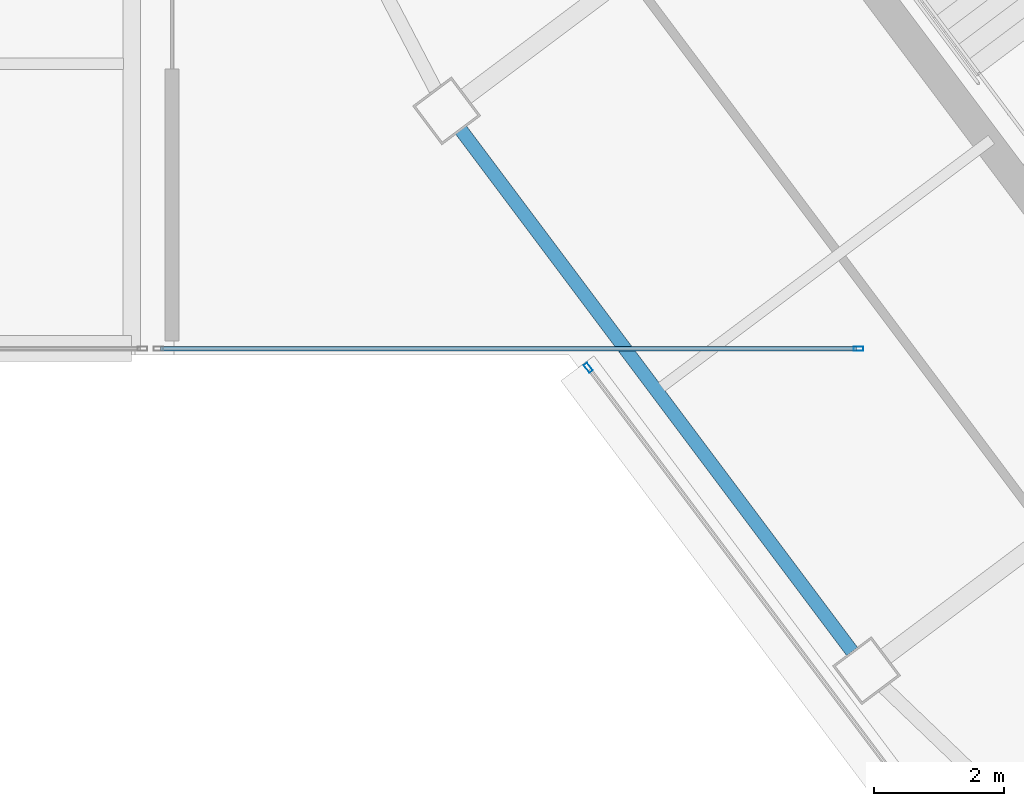
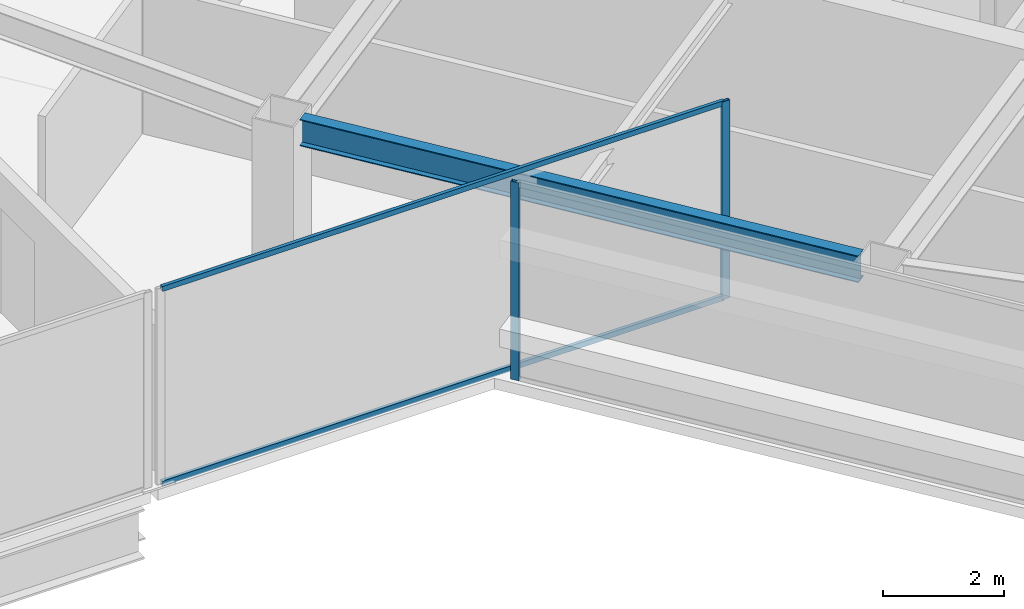
# One storey, part 28 of 51: 4 members, 1 beam, 2 elements without a shape of their own.
"""IFC4 building model written with IfcOpenShell, lengths in metres."""

from ifc_helpers import new_model, si_unit, direction, frame, origin, origin_2d, place, context, subcontext, project, spatial, hollow_rectangle, i_section, extrude, material, material_profile, profile_set, type_object, element, aggregate, save


model = new_model("IFC4")

# Units and contexts
model_context = context("Model", 3, precision=1e-05, world=origin(), true_north=direction((0.0, 1.0)))
body_context = subcontext(model_context, "Body", "Model", "MODEL_VIEW")
ifc_project = project(units=[si_unit("LENGTHUNIT", "METRE"), si_unit("AREAUNIT", "SQUARE_METRE"), si_unit("VOLUMEUNIT", "CUBIC_METRE"), si_unit("PLANEANGLEUNIT", "RADIAN"), si_unit("MASSUNIT", "GRAM", prefix="KILO")], contexts=[model_context])

# Site, building, storey
site_placement = place(None, origin())
site = spatial("IfcSite", under=ifc_project, at=site_placement, CompositionType="ELEMENT")
building_placement = place(site_placement, origin())
building = spatial("IfcBuilding", under=site, at=building_placement, Name="Tashvorn Skyway Center", CompositionType="ELEMENT")
storey_placement = place(building_placement, frame((0.0, 0.0, 251.39990234375)))
storey = spatial("IfcBuildingStorey", under=building, at=storey_placement, Name="L68", CompositionType="ELEMENT", Elevation=251.39990234375)

# Beam
ifc_material_1 = material(Name="Steel ASTM A992 Grade 50", Category="steel")
ifc_material_profile_1 = material_profile(ifc_material_1, i_section(OverallWidth=0.2109375, OverallDepth=0.5390625, WebThickness=0.01171875, FlangeThickness=0.018798828125, at=origin_2d()), Name="W21X73")
ifc_profile_set_1 = profile_set([ifc_material_profile_1], Name="Steel ASTM A992 Grade 50")
beam_type = type_object("IfcBeamType", Name="BM-SPANDREL-W21X73", PredefinedType="SPANDREL", material=ifc_profile_set_1)
beam_placement = place(storey_placement, frame((99.58203125, 27.47412109375, 3.510498046875), z_axis=(0.599988351091, -0.800008736549, 0.0), x_axis=(0.800008736549, 0.599988351091, 0.0)))
element("IfcBeam", 1, at=beam_placement, inside=storey, type_object=beam_type, Name="Tower 2 L68 Spandrel Beam 11", PredefinedType="SPANDREL", context=body_context, shape_type="SweptSolid", body=[
    extrude(i_section(OverallWidth=0.2109375, OverallDepth=0.5390625, WebThickness=0.01171875, FlangeThickness=0.018798828125, at=origin_2d()), origin(), (0.0, 0.0, 1.0), 10.06005859375),
])

# Curtain wall, member
ifc_material_2 = material(Name="Thermally broken bronze-anodized aluminium 6063-T6", Category="aluminium")
curtain_wall_type = type_object("IfcCurtainWallType", Name="CW-CW-SKY", PredefinedType="NOTDEFINED", material=ifc_material_2)
curtain_wall_1_placement = place(storey_placement, origin())
curtain_wall_1 = element("IfcCurtainWall", 2, at=curtain_wall_1_placement, inside=storey, type_object=curtain_wall_type, Name="Tower 2 L68 West Curtain Wall A", PredefinedType="NOTDEFINED")
ifc_material_profile_2 = material_profile(ifc_material_2, hollow_rectangle(XDim=0.06494140625, YDim=0.14990234375, WallThickness=0.00390625, at=origin_2d()), Name="ALU-MULL-65x150")
ifc_profile_set_2 = profile_set([ifc_material_profile_2], Name="Thermally broken bronze-anodized aluminium 6063-T6")
member_type_1 = type_object("IfcMemberType", Name="CWM-CW-SKY", PredefinedType="MULLION", material=ifc_profile_set_2)
member_1_placement = place(storey_placement, frame((101.54541015625, 23.805908203125, 0.0), z_axis=(0.0, 0.0, 1.0), x_axis=(-0.799999999998, -0.600000000002, 0.0)))
member_1 = element("IfcMember", 3, at=member_1_placement, type_object=member_type_1, Name="CW-SKY mullion 2", PredefinedType="MULLION", context=body_context, shape_type="SweptSolid", body=[
    extrude(hollow_rectangle(XDim=0.06494140625, YDim=0.14990234375, WallThickness=0.00390625, at=origin_2d()), origin(), (0.0, 0.0, 1.0), 4.0),
])
aggregate(curtain_wall_1, [member_1])

# Curtain wall, members
curtain_wall_2_placement = place(storey_placement, origin())
curtain_wall_2 = element("IfcCurtainWall", 4, at=curtain_wall_2_placement, inside=storey, type_object=curtain_wall_type, Name="Tower 2 L68 Vestibule South Curtain Wall", PredefinedType="NOTDEFINED")
member_2_placement = place(storey_placement, frame((105.717529296875, 24.10009765625, 0.0), z_axis=(0.0, 0.0, 1.0), x_axis=(0.0, -1.0, 0.0)))
member_2 = element("IfcMember", 5, at=member_2_placement, type_object=member_type_1, Name="CW-SKY mullion 1", PredefinedType="MULLION", context=body_context, shape_type="SweptSolid", body=[
    extrude(hollow_rectangle(XDim=0.06494140625, YDim=0.14990234375, WallThickness=0.00390625, at=origin_2d()), origin(), (0.0, 0.0, 1.0), 4.0),
])
ifc_material_profile_3 = material_profile(ifc_material_2, hollow_rectangle(XDim=0.06494140625, YDim=0.10498046875, WallThickness=0.00390625, at=origin_2d()), Name="ALU-TRAN-65x105")
ifc_profile_set_3 = profile_set([ifc_material_profile_3], Name="Thermally broken bronze-anodized aluminium 6063-T6")
member_type_2 = type_object("IfcMemberType", Name="CWT-CW-SKY", PredefinedType="USERDEFINED", material=ifc_profile_set_3)
member_3_placement = place(storey_placement, frame((105.68505859375, 24.10009765625, 0.03271484375), z_axis=(-1.0, 0.0, 0.0), x_axis=(0.0, -1.0, 0.0)))
member_3 = element("IfcMember", 6, at=member_3_placement, type_object=member_type_2, Name="CW-SKY transom 1.1", ObjectType="TRANSOM", PredefinedType="USERDEFINED", context=body_context, shape_type="SweptSolid", body=[
    extrude(hollow_rectangle(XDim=0.06494140625, YDim=0.10498046875, WallThickness=0.00390625, at=origin_2d()), origin(), (0.0, 0.0, 1.0), 10.739990234375),
])
member_4_placement = place(storey_placement, frame((105.68505859375, 24.10009765625, 3.967529296875), z_axis=(-1.0, 0.0, 0.0), x_axis=(0.0, -1.0, 0.0)))
member_4 = element("IfcMember", 7, at=member_4_placement, type_object=member_type_2, Name="CW-SKY transom 1.2", ObjectType="TRANSOM", PredefinedType="USERDEFINED", context=body_context, shape_type="SweptSolid", body=[
    extrude(hollow_rectangle(XDim=0.06494140625, YDim=0.10498046875, WallThickness=0.00390625, at=origin_2d()), origin(), (0.0, 0.0, 1.0), 10.739990234375),
])
aggregate(curtain_wall_2, [member_2, member_3, member_4])

save(model, "model.ifc")
